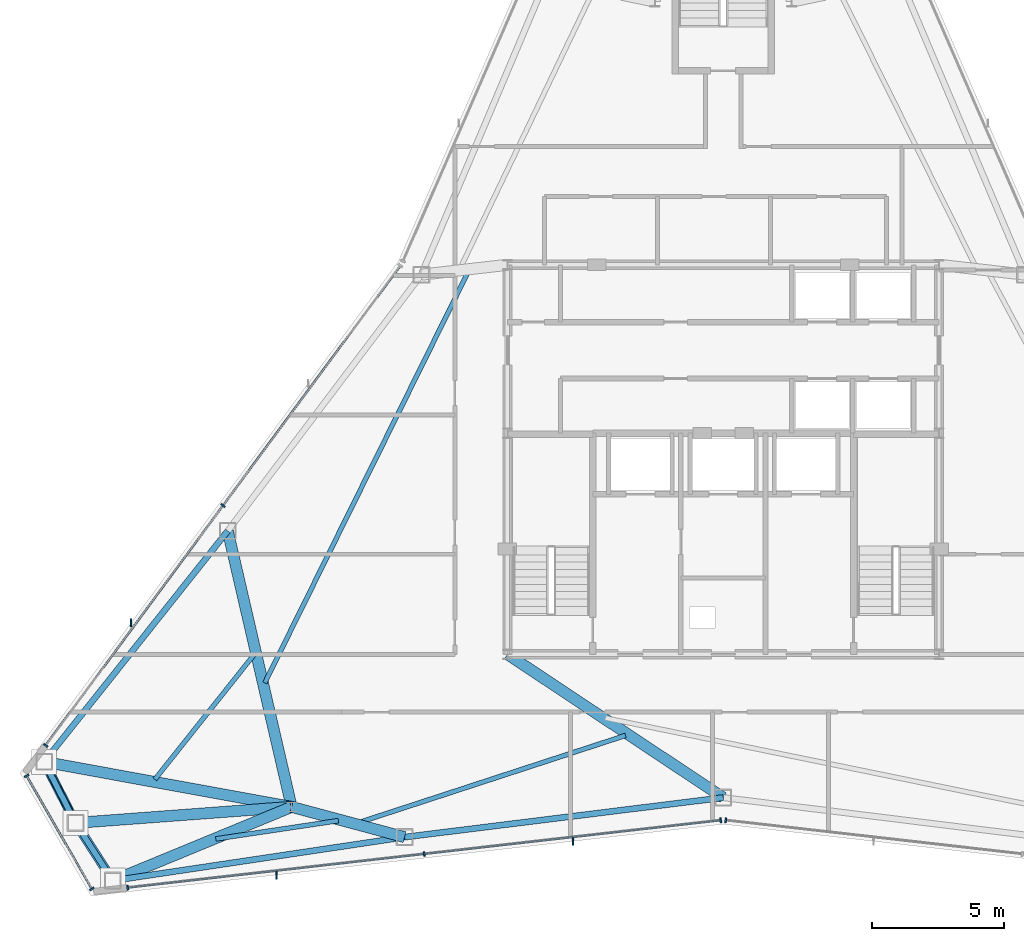
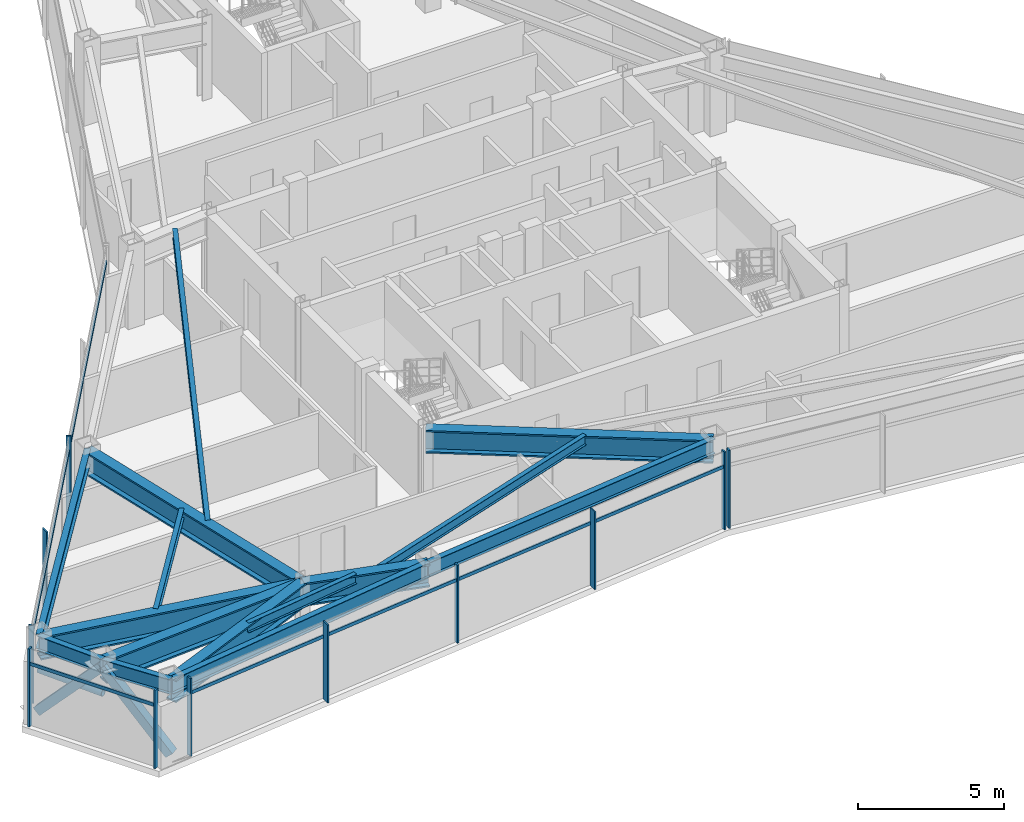
# One storey, part 3 of 12: 17 members, 15 beams, 4 elements without a shape of their own.
"""IFC4 building model written with IfcOpenShell, lengths in metres."""

from ifc_helpers import new_model, si_unit, direction, frame, origin, origin_2d, place, context, subcontext, project, spatial, rectangle, hollow_rectangle, hollow_circle, i_section, extrude, source, transform, mapped, material, layer, layer_set, material_profile, profile_set, type_object, type_shapes, element, aggregate, save


model = new_model("IFC4")

# Units and contexts
model_context = context("Model", 3, precision=1e-05, world=origin(), true_north=direction((0.0, 1.0)))
body_context = subcontext(model_context, "Body", "Model", "MODEL_VIEW")
ifc_project = project(units=[si_unit("LENGTHUNIT", "METRE"), si_unit("AREAUNIT", "SQUARE_METRE"), si_unit("VOLUMEUNIT", "CUBIC_METRE"), si_unit("PLANEANGLEUNIT", "RADIAN"), si_unit("MASSUNIT", "GRAM", prefix="KILO")], contexts=[model_context])

# Site, building, storey
site_placement = place(None, origin())
site = spatial("IfcSite", under=ifc_project, at=site_placement, CompositionType="ELEMENT")
building_placement = place(site_placement, origin())
building = spatial("IfcBuilding", under=site, at=building_placement, Name="Varakhsha Concourse Tower", CompositionType="ELEMENT")
storey_placement = place(building_placement, frame((0.0, 0.0, 276.0)))
storey = spatial("IfcBuildingStorey", under=building, at=storey_placement, Name="L78", CompositionType="ELEMENT", Elevation=276.0)

# Beams
ifc_material_1 = material(Name="Structural Steel ASTM A992 Grade 50", Category="steel")
ifc_material_profile_1 = material_profile(ifc_material_1, i_section(OverallWidth=0.177978515625, OverallDepth=0.406982421875, WebThickness=0.008056640625, FlangeThickness=0.012939453125, at=origin_2d()), Name="W16X40")
ifc_profile_set_1 = profile_set([ifc_material_profile_1], Name="Structural Steel ASTM A992 Grade 50")
beam_type_1 = type_object("IfcBeamType", Name="BM-JST-W16X40", PredefinedType="JOIST", material=ifc_profile_set_1)
beam_1_placement = place(storey_placement, frame((30.3115234375, 30.935791015625, 3.04638671875), z_axis=(-0.443495386622, -0.896276654859, 0.0), x_axis=(0.896276654859, -0.443495386622, 0.0)))
element("IfcBeam", 1, at=beam_1_placement, inside=storey, type_object=beam_type_1, Name="BM-TJST-L78-05", PredefinedType="JOIST", context=body_context, shape_type="SweptSolid", body=[
    extrude(i_section(OverallWidth=0.177978515625, OverallDepth=0.406982421875, WebThickness=0.008056640625, FlangeThickness=0.012939453125, at=origin_2d()), origin(), (0.0, 0.0, 1.0), 17.431396484375),
])
beam_2_placement = place(storey_placement, frame((22.172119140625, 16.38623046875, 3.04638671875), z_axis=(-0.622322665735, -0.782760818969, 0.0), x_axis=(0.782760818969, -0.622322665735, 0.0)))
element("IfcBeam", 2, at=beam_2_placement, inside=storey, type_object=beam_type_1, Name="BM-TJST-L78-06", PredefinedType="JOIST", context=body_context, shape_type="SweptSolid", body=[
    extrude(i_section(OverallWidth=0.177978515625, OverallDepth=0.406982421875, WebThickness=0.008056640625, FlangeThickness=0.012939453125, at=origin_2d()), origin(), (0.0, 0.0, 1.0), 6.056396484375),
])
beam_3_placement = place(storey_placement, frame((20.71875, 9.38330078125, 3.04638671875), z_axis=(0.989050463815, 0.147577708437, 0.0), x_axis=(-0.147577708437, 0.989050463815, 0.0)))
element("IfcBeam", 3, at=beam_3_placement, inside=storey, type_object=beam_type_1, Name="BM-TJST-L78-09", PredefinedType="JOIST", context=body_context, shape_type="SweptSolid", body=[
    extrude(i_section(OverallWidth=0.177978515625, OverallDepth=0.406982421875, WebThickness=0.008056640625, FlangeThickness=0.012939453125, at=origin_2d()), origin(), (0.0, 0.0, 1.0), 4.71142578125),
])
beam_4_placement = place(storey_placement, frame((26.10693359375, 9.9912109375, 3.04638671875), z_axis=(0.950592002478, 0.3104429816, 0.0), x_axis=(-0.3104429816, 0.950592002478, 0.0)))
element("IfcBeam", 4, at=beam_4_placement, inside=storey, type_object=beam_type_1, Name="BM-TJST-L78-10", PredefinedType="JOIST", context=body_context, shape_type="SweptSolid", body=[
    extrude(i_section(OverallWidth=0.177978515625, OverallDepth=0.406982421875, WebThickness=0.008056640625, FlangeThickness=0.012939453125, at=origin_2d()), origin(), (0.0, 0.0, 1.0), 10.70947265625),
])
ifc_material_profile_2 = material_profile(ifc_material_1, i_section(OverallWidth=0.423095703125, OverallDepth=0.947998046875, WebThickness=0.0380859375, FlangeThickness=0.06396484375, at=origin_2d()), Name="W36X302")
ifc_profile_set_2 = profile_set([ifc_material_profile_2], Name="Structural Steel ASTM A992 Grade 50")
beam_type_2 = type_object("IfcBeamType", Name="BM-OUTR-W36X302", PredefinedType="USERDEFINED", material=ifc_profile_set_2)
beam_5_placement = place(storey_placement, frame((23.60009765625, 10.60009765625, 2.77587890625), z_axis=(-0.225527043555, 0.974236907854, 0.0), x_axis=(-0.974236907854, -0.225527043555, 0.0)))
element("IfcBeam", 5, at=beam_5_placement, inside=storey, type_object=beam_type_2, Name="L78 Radial Floor Girder 06", ObjectType="GIRDER", PredefinedType="USERDEFINED", context=body_context, shape_type="SweptSolid", body=[
    extrude(i_section(OverallWidth=0.423095703125, OverallDepth=0.947998046875, WebThickness=0.0380859375, FlangeThickness=0.06396484375, at=origin_2d()), origin(), (0.0, 0.0, 1.0), 10.763671875),
])
beam_6_placement = place(storey_placement, frame((23.60009765625, 10.60009765625, 2.77587890625), z_axis=(-0.983804040319, 0.179247343778, 0.0), x_axis=(-0.179247343778, -0.983804040319, 0.0)))
element("IfcBeam", 6, at=beam_6_placement, inside=storey, type_object=beam_type_2, Name="L78 Radial Floor Girder 07", ObjectType="GIRDER", PredefinedType="USERDEFINED", context=body_context, shape_type="SweptSolid", body=[
    extrude(i_section(OverallWidth=0.423095703125, OverallDepth=0.947998046875, WebThickness=0.0380859375, FlangeThickness=0.06396484375, at=origin_2d()), origin(), (0.0, 0.0, 1.0), 9.557373046875),
])
beam_7_placement = place(storey_placement, frame((23.60009765625, 10.60009765625, 2.77587890625), z_axis=(-0.997265326359, -0.073904457528, 0.0), x_axis=(0.073904457528, -0.997265326359, 0.0)))
element("IfcBeam", 7, at=beam_7_placement, inside=storey, type_object=beam_type_2, Name="L78 Radial Floor Girder 08", ObjectType="GIRDER", PredefinedType="USERDEFINED", context=body_context, shape_type="SweptSolid", body=[
    extrude(i_section(OverallWidth=0.423095703125, OverallDepth=0.947998046875, WebThickness=0.0380859375, FlangeThickness=0.06396484375, at=origin_2d()), origin(), (0.0, 0.0, 1.0), 8.232177734375),
])
beam_8_placement = place(storey_placement, frame((23.60009765625, 10.60009765625, 2.77587890625), z_axis=(-0.924468161954, -0.381259252392, 0.0), x_axis=(0.381259252392, -0.924468161954, 0.0)))
element("IfcBeam", 8, at=beam_8_placement, inside=storey, type_object=beam_type_2, Name="L78 Radial Floor Girder 09", ObjectType="GIRDER", PredefinedType="USERDEFINED", context=body_context, shape_type="SweptSolid", body=[
    extrude(i_section(OverallWidth=0.423095703125, OverallDepth=0.947998046875, WebThickness=0.0380859375, FlangeThickness=0.06396484375, at=origin_2d()), origin(), (0.0, 0.0, 1.0), 7.3505859375),
])
beam_9_placement = place(storey_placement, frame((23.60009765625, 10.60009765625, 2.77587890625), z_axis=(0.965982637978, -0.258606927838, 0.0), x_axis=(0.258606927838, 0.965982637978, 0.0)))
element("IfcBeam", 9, at=beam_9_placement, inside=storey, type_object=beam_type_2, Name="L78 Radial Floor Girder 10", ObjectType="GIRDER", PredefinedType="USERDEFINED", context=body_context, shape_type="SweptSolid", body=[
    extrude(i_section(OverallWidth=0.423095703125, OverallDepth=0.947998046875, WebThickness=0.0380859375, FlangeThickness=0.06396484375, at=origin_2d()), origin(), (0.0, 0.0, 1.0), 4.44091796875),
])
beam_10_placement = place(storey_placement, frame((31.800048828125, 16.39990234375, 2.77587890625), z_axis=(0.832991531821, -0.553285738036, 0.0), x_axis=(0.553285738036, 0.832991531821, 0.0)))
element("IfcBeam", 10, at=beam_10_placement, inside=storey, type_object=beam_type_2, Name="L78 Radial Floor Girder 11", ObjectType="GIRDER", PredefinedType="USERDEFINED", context=body_context, shape_type="SweptSolid", body=[
    extrude(i_section(OverallWidth=0.423095703125, OverallDepth=0.947998046875, WebThickness=0.0380859375, FlangeThickness=0.06396484375, at=origin_2d()), origin(), (0.0, 0.0, 1.0), 9.843994140625),
])
ifc_material_profile_3 = material_profile(ifc_material_1, i_section(OverallWidth=0.22900390625, OverallDepth=0.612060546875, WebThickness=0.011962890625, FlangeThickness=0.02001953125, at=origin_2d()), Name="W24X84")
ifc_profile_set_3 = profile_set([ifc_material_profile_3], Name="Structural Steel ASTM A992 Grade 50")
beam_type_3 = type_object("IfcBeamType", Name="BM-SPAN-W24X84", PredefinedType="SPANDREL", material=ifc_profile_set_3)
beam_11_placement = place(storey_placement, frame((21.172607421875, 21.08642578125, 2.944091796875), z_axis=(-0.62232797875, -0.782756594903, 0.0), x_axis=(0.782756594903, -0.62232797875, 0.0)))
element("IfcBeam", 11, at=beam_11_placement, inside=storey, type_object=beam_type_3, Name="BM-SPAN-L78-06", PredefinedType="SPANDREL", context=body_context, shape_type="SweptSolid", body=[
    extrude(i_section(OverallWidth=0.22900390625, OverallDepth=0.612060546875, WebThickness=0.011962890625, FlangeThickness=0.02001953125, at=origin_2d()), origin(), (0.0, 0.0, 1.0), 11.2080078125),
])
beam_12_placement = place(storey_placement, frame((14.197509765625, 12.313232421875, 2.944091796875), z_axis=(0.457026728921, -0.889452960562, 0.0), x_axis=(0.889452960562, 0.457026728921, 0.0)))
element("IfcBeam", 12, at=beam_12_placement, inside=storey, type_object=beam_type_3, Name="BM-SPAN-L78-07", PredefinedType="SPANDREL", context=body_context, shape_type="SweptSolid", body=[
    extrude(i_section(OverallWidth=0.22900390625, OverallDepth=0.612060546875, WebThickness=0.011962890625, FlangeThickness=0.02001953125, at=origin_2d()), origin(), (0.0, 0.0, 1.0), 2.610107421875),
])
beam_13_placement = place(storey_placement, frame((15.390380859375, 9.99169921875, 2.944091796875), z_axis=(0.541792375817, -0.840512356546, 0.0), x_axis=(0.840512356546, 0.541792375817, 0.0)))
element("IfcBeam", 13, at=beam_13_placement, inside=storey, type_object=beam_type_3, Name="BM-SPAN-L78-08", PredefinedType="SPANDREL", context=body_context, shape_type="SweptSolid", body=[
    extrude(i_section(OverallWidth=0.22900390625, OverallDepth=0.612060546875, WebThickness=0.011962890625, FlangeThickness=0.02001953125, at=origin_2d()), origin(), (0.0, 0.0, 1.0), 2.6103515625),
])
beam_14_placement = place(storey_placement, frame((16.8046875, 7.797607421875, 2.944091796875), z_axis=(0.989050299735, 0.147578808076, 0.0), x_axis=(-0.147578808076, 0.989050299735, 0.0)))
element("IfcBeam", 14, at=beam_14_placement, inside=storey, type_object=beam_type_3, Name="BM-SPAN-L78-09", PredefinedType="SPANDREL", context=body_context, shape_type="SweptSolid", body=[
    extrude(i_section(OverallWidth=0.22900390625, OverallDepth=0.612060546875, WebThickness=0.011962890625, FlangeThickness=0.02001953125, at=origin_2d()), origin(), (0.0, 0.0, 1.0), 11.2080078125),
])
beam_15_placement = place(storey_placement, frame((27.889892578125, 9.45166015625, 2.944091796875), z_axis=(0.992398980009, 0.123062035079, 0.0), x_axis=(-0.123062035079, 0.992398980009, 0.0)))
element("IfcBeam", 15, at=beam_15_placement, inside=storey, type_object=beam_type_3, Name="BM-SPAN-L78-10", PredefinedType="SPANDREL", context=body_context, shape_type="SweptSolid", body=[
    extrude(i_section(OverallWidth=0.22900390625, OverallDepth=0.612060546875, WebThickness=0.011962890625, FlangeThickness=0.02001953125, at=origin_2d()), origin(), (0.0, 0.0, 1.0), 12.202880859375),
])

# Members
ifc_material_2 = material(Name="Structural Steel ASTM A500 Grade C", Category="steel")
ifc_material_profile_4 = material_profile(ifc_material_2, hollow_rectangle(XDim=0.35009765625, YDim=0.35009765625, WallThickness=0.01611328125, at=origin_2d()), Name="HSS 350x350x16")
ifc_profile_set_4 = profile_set([ifc_material_profile_4], Name="Structural Steel ASTM A500 Grade C")
member_type_1 = type_object("IfcMemberType", Name="MB-TUBE-HSS350", PredefinedType="BRACE", material=ifc_profile_set_4)
shared_shape_1 = source(origin(), body_context, "Body", "SweptSolid", [
    extrude(hollow_rectangle(XDim=0.35009765625, YDim=0.35009765625, WallThickness=0.01611328125, at=origin_2d()), origin(), (0.0, 0.0, 1.0), 3.849853515625),
])
member_1_placement = place(storey_placement, frame((16.8046875, 7.797607421875, 0.1201171875), z_axis=(-0.367355317678, 0.569898539612, 0.735027703643), x_axis=(-0.840512356546, -0.541792375817, 0.0)))
element("IfcMember", 16, at=member_1_placement, inside=storey, type_object=member_type_1, Name="L78 Wind-Corner Tube Brace B04", PredefinedType="BRACE", context=body_context, shape_type="MappedRepresentation", body=[
    mapped(shared_shape_1, transform((0.0, 0.0, 0.0), scale=1.0)),
])
shared_shape_2 = source(origin(), body_context, "Body", "SweptSolid", [
    extrude(hollow_rectangle(XDim=0.35009765625, YDim=0.35009765625, WallThickness=0.01611328125, at=origin_2d()), origin(), (0.0, 0.0, 1.0), 3.849609375),
])
type_shapes(member_type_1, [shared_shape_1, shared_shape_2])
member_2_placement = place(storey_placement, frame((14.197509765625, 12.313232421875, 0.1201171875), z_axis=(0.309858407684, -0.603037985809, 0.735073435011), x_axis=(0.889452960562, 0.457026728921, 0.0)))
element("IfcMember", 17, at=member_2_placement, inside=storey, type_object=member_type_1, Name="L78 Wind-Corner Tube Brace B03", PredefinedType="BRACE", context=body_context, shape_type="MappedRepresentation", body=[
    mapped(shared_shape_2, transform((0.0, 0.0, 0.0), scale=1.0)),
])
ifc_material_profile_5 = material_profile(ifc_material_2, hollow_circle(Radius=0.136474609375, WallThickness=0.011962890625, at=origin_2d()), Name="CHS 273x12")
ifc_profile_set_5 = profile_set([ifc_material_profile_5], Name="Structural Steel ASTM A500 Grade C")
member_type_2 = type_object("IfcMemberType", Name="MB-WIND-CHS273", PredefinedType="COLLAR", material=ifc_profile_set_5)
shared_shape_3 = source(origin(), body_context, "Body", "SweptSolid", [
    extrude(hollow_circle(Radius=0.136474609375, WallThickness=0.011962890625, at=origin_2d()), origin(), (0.0, 0.0, 1.0), 2.610107421875),
])
type_shapes(member_type_2, [shared_shape_3])
member_3_placement = place(storey_placement, frame((14.197509765625, 12.313232421875, 1.800048828125), z_axis=(0.457026728921, -0.889452960562, 0.0), x_axis=(0.889452960562, 0.457026728921, 0.0)))
element("IfcMember", 18, at=member_3_placement, inside=storey, type_object=member_type_2, Name="L78 Wind-Corner Collar Tie 2", PredefinedType="COLLAR", context=body_context, shape_type="MappedRepresentation", body=[
    mapped(shared_shape_3, transform((0.0, 0.0, 0.0), scale=1.0)),
])

# Curtain wall, members
ifc_material_3 = material(Name="Anodised Bronze Architectural Aluminium AA 6063-T6", Category="aluminium")
ifc_layer = layer(ifc_material_3, 0.199951171875, Name="CW-SYS-05")
ifc_layer_set = layer_set([ifc_layer], Name="Anodised Bronze Architectural Aluminium AA 6063-T6")
curtain_wall_type = type_object("IfcCurtainWallType", Name="CW-SYS-05", PredefinedType="NOTDEFINED", material=ifc_layer_set)
curtain_wall_1_placement = place(storey_placement, origin())
curtain_wall_1 = element("IfcCurtainWall", 19, at=curtain_wall_1_placement, inside=storey, type_object=curtain_wall_type, Name="L78 Crystal Curtain Wall F3", PredefinedType="NOTDEFINED")
ifc_material_profile_6 = material_profile(ifc_material_3, rectangle(XDim=0.06494140625, YDim=0.179931640625, at=origin_2d()), Name="CWM-180X65")
ifc_profile_set_6 = profile_set([ifc_material_profile_6], Name="Anodised Bronze Architectural Aluminium AA 6063-T6")
member_type_3 = type_object("IfcMemberType", Name="CWM-180X65", PredefinedType="MULLION", material=ifc_profile_set_6)
shared_shape_4 = source(origin(), body_context, "Body", "SweptSolid", [
    extrude(rectangle(XDim=0.06494140625, YDim=0.179931640625, at=origin_2d()), origin(), (0.0, 0.0, 1.0), 3.25),
])
type_shapes(member_type_3, [shared_shape_4])
member_4_placement = place(storey_placement, frame((14.251220703125, 12.9365234375, 0.0), z_axis=(0.0, 0.0, 1.0), x_axis=(0.594533731364, 0.804070669948, 0.0)))
member_4 = element("IfcMember", 20, at=member_4_placement, type_object=member_type_3, Name="CW-L78-F3 Mullion 00", PredefinedType="MULLION", context=body_context, shape_type="MappedRepresentation", body=[
    mapped(shared_shape_4, transform((0.0, 0.0, 0.0), scale=1.0)),
])
member_5_placement = place(storey_placement, frame((20.991943359375, 22.05322265625, 0.0), z_axis=(0.0, 0.0, 1.0), x_axis=(0.594533731364, 0.804070669948, 0.0)))
member_5 = element("IfcMember", 21, at=member_5_placement, type_object=member_type_3, Name="CW-L78-F3 Mullion 01", PredefinedType="MULLION", context=body_context, shape_type="MappedRepresentation", body=[
    mapped(shared_shape_4, transform((0.0, 0.0, 0.0), scale=1.0)),
])

curtain_wall_2_placement = place(storey_placement, origin())
curtain_wall_2 = element("IfcCurtainWall", 22, at=curtain_wall_2_placement, inside=storey, type_object=curtain_wall_type, Name="L78 Chamfer Curtain Wall F4", PredefinedType="NOTDEFINED")
member_6_placement = place(storey_placement, frame((16.0068359375, 7.48388671875, 0.0), z_axis=(0.0, 0.0, 1.0), x_axis=(-0.499989419466, 0.866031512372, 0.0)))
member_6 = element("IfcMember", 23, at=member_6_placement, type_object=member_type_3, Name="CW-L78-F4 Mullion 00", PredefinedType="MULLION", context=body_context, shape_type="MappedRepresentation", body=[
    mapped(shared_shape_4, transform((0.0, 0.0, 0.0), scale=1.0)),
])
member_7_placement = place(storey_placement, frame((13.52685546875, 11.779296875, 0.0), z_axis=(0.0, 0.0, 1.0), x_axis=(-0.499989419466, 0.866031512372, 0.0)))
member_7 = element("IfcMember", 24, at=member_7_placement, type_object=member_type_3, Name="CW-L78-F4 Mullion 01", PredefinedType="MULLION", context=body_context, shape_type="MappedRepresentation", body=[
    mapped(shared_shape_4, transform((0.0, 0.0, 0.0), scale=1.0)),
])

curtain_wall_3_placement = place(storey_placement, origin())
curtain_wall_3 = element("IfcCurtainWall", 25, at=curtain_wall_3_placement, inside=storey, type_object=curtain_wall_type, Name="L78 Crystal Curtain Wall F5", PredefinedType="NOTDEFINED")
member_8_placement = place(storey_placement, frame((39.902587890625, 10.09130859375, 0.0), z_axis=(0.0, 0.0, 1.0), x_axis=(-0.993612689247, -0.112844245613, 0.0)))
member_8 = element("IfcMember", 26, at=member_8_placement, type_object=member_type_3, Name="CW-L78-F5 Mullion 00", PredefinedType="MULLION", context=body_context, shape_type="MappedRepresentation", body=[
    mapped(shared_shape_4, transform((0.0, 0.0, 0.0), scale=1.0)),
])
member_9_placement = place(storey_placement, frame((28.63671875, 8.81201171875, 0.0), z_axis=(0.0, 0.0, 1.0), x_axis=(-0.993612689247, -0.112844245613, 0.0)))
member_9 = element("IfcMember", 27, at=member_9_placement, type_object=member_type_3, Name="CW-L78-F5 Mullion 01", PredefinedType="MULLION", context=body_context, shape_type="MappedRepresentation", body=[
    mapped(shared_shape_4, transform((0.0, 0.0, 0.0), scale=1.0)),
])
member_10_placement = place(storey_placement, frame((17.37109375, 7.532470703125, 0.0), z_axis=(0.0, 0.0, 1.0), x_axis=(-0.993612689247, -0.112844245613, 0.0)))
member_10 = element("IfcMember", 28, at=member_10_placement, type_object=member_type_3, Name="CW-L78-F5 Mullion 02", PredefinedType="MULLION", context=body_context, shape_type="MappedRepresentation", body=[
    mapped(shared_shape_4, transform((0.0, 0.0, 0.0), scale=1.0)),
])

# Curtain wall, member
curtain_wall_4_placement = place(storey_placement, origin())
curtain_wall_4 = element("IfcCurtainWall", 29, at=curtain_wall_4_placement, inside=storey, type_object=curtain_wall_type, Name="L78 Crystal Curtain Wall F6", PredefinedType="NOTDEFINED")
member_11_placement = place(storey_placement, frame((40.097412109375, 10.09130859375, 0.0), z_axis=(0.0, 0.0, 1.0), x_axis=(-0.993612689247, 0.112844245613, 0.0)))
member_11 = element("IfcMember", 30, at=member_11_placement, type_object=member_type_3, Name="CW-L78-F6 Mullion 02", PredefinedType="MULLION", context=body_context, shape_type="MappedRepresentation", body=[
    mapped(shared_shape_4, transform((0.0, 0.0, 0.0), scale=1.0)),
])
aggregate(curtain_wall_4, [member_11])

# Member
ifc_material_profile_7 = material_profile(ifc_material_3, rectangle(XDim=0.054931640625, YDim=0.300048828125, at=origin_2d()), Name="FIN-BRZ-300")
ifc_profile_set_7 = profile_set([ifc_material_profile_7], Name="Anodised Bronze Architectural Aluminium AA 6063-T6")
member_type_4 = type_object("IfcMemberType", Name="FIN-BRZ-300", PredefinedType="USERDEFINED", material=ifc_profile_set_7)
shared_shape_5 = source(origin(), body_context, "Body", "SweptSolid", [
    extrude(rectangle(XDim=0.054931640625, YDim=0.300048828125, at=origin_2d()), origin(), (0.0, 0.0, 1.0), 3.25),
])
type_shapes(member_type_4, [shared_shape_5])
member_12_placement = place(storey_placement, frame((17.489013671875, 17.593017578125, 0.0), z_axis=(0.0, 0.0, 1.0), x_axis=(1.0, 0.0, 0.0)))
member_12 = element("IfcMember", 31, at=member_12_placement, type_object=member_type_4, Name="L78 Anodised Bronze Solar Fin F3-1", ObjectType="SOLAR FIN", PredefinedType="USERDEFINED", context=body_context, shape_type="MappedRepresentation", body=[
    mapped(shared_shape_5, transform((0.0, 0.0, 0.0), scale=1.0)),
])

member_13_placement = place(storey_placement, frame((34.288330078125, 9.28759765625, 0.0), z_axis=(0.0, 0.0, 1.0), x_axis=(1.0, 0.0, 0.0)))
member_13 = element("IfcMember", 32, at=member_13_placement, type_object=member_type_4, Name="L78 Anodised Bronze Solar Fin F5-1", ObjectType="SOLAR FIN", PredefinedType="USERDEFINED", context=body_context, shape_type="MappedRepresentation", body=[
    mapped(shared_shape_5, transform((0.0, 0.0, 0.0), scale=1.0)),
])

member_14_placement = place(storey_placement, frame((23.022705078125, 8.00830078125, 0.0), z_axis=(0.0, 0.0, 1.0), x_axis=(1.0, 0.0, 0.0)))
member_14 = element("IfcMember", 33, at=member_14_placement, type_object=member_type_4, Name="L78 Anodised Bronze Solar Fin F5-2", ObjectType="SOLAR FIN", PredefinedType="USERDEFINED", context=body_context, shape_type="MappedRepresentation", body=[
    mapped(shared_shape_5, transform((0.0, 0.0, 0.0), scale=1.0)),
])

ifc_material_profile_8 = material_profile(ifc_material_3, rectangle(XDim=0.06005859375, YDim=0.139892578125, at=origin_2d()), Name="CWT-140X60")
ifc_profile_set_8 = profile_set([ifc_material_profile_8], Name="Anodised Bronze Architectural Aluminium AA 6063-T6")
member_type_5 = type_object("IfcMemberType", Name="CWT-140X60", PredefinedType="USERDEFINED", material=ifc_profile_set_8)
shared_shape_6 = source(origin(), body_context, "Body", "SweptSolid", [
    extrude(rectangle(XDim=0.06005859375, YDim=0.139892578125, at=origin_2d()), origin(), (0.0, 0.0, 1.0), 4.9599609375),
])
member_15_placement = place(storey_placement, frame((16.0068359375, 7.48388671875, 2.60009765625), z_axis=(-0.50000366821, 0.866023285932, 0.0), x_axis=(-0.866023285932, -0.50000366821, 0.0)))
member_15 = element("IfcMember", 34, at=member_15_placement, type_object=member_type_5, Name="CW-L78-F4 Transom 01", ObjectType="TRANSOM", PredefinedType="USERDEFINED", context=body_context, shape_type="MappedRepresentation", body=[
    mapped(shared_shape_6, transform((0.0, 0.0, 0.0), scale=1.0)),
])

aggregate(curtain_wall_2, [member_6, member_7, member_15])

shared_shape_7 = source(origin(), body_context, "Body", "SweptSolid", [
    extrude(rectangle(XDim=0.06005859375, YDim=0.139892578125, at=origin_2d()), origin(), (0.0, 0.0, 1.0), 22.67626953125),
])
type_shapes(member_type_5, [shared_shape_6, shared_shape_7])
member_16_placement = place(storey_placement, frame((14.251220703125, 12.9365234375, 2.60009765625), z_axis=(0.594528790613, 0.80407432314, 0.0), x_axis=(-0.80407432314, 0.594528790613, 0.0)))
member_16 = element("IfcMember", 35, at=member_16_placement, type_object=member_type_5, Name="CW-L78-F3 Transom 01", ObjectType="TRANSOM", PredefinedType="USERDEFINED", context=body_context, shape_type="MappedRepresentation", body=[
    mapped(shared_shape_7, transform((0.0, 0.0, 0.0), scale=1.0)),
])

aggregate(curtain_wall_1, [member_4, member_5, member_16, member_12])

member_17_placement = place(storey_placement, frame((39.902587890625, 10.09130859375, 2.60009765625), z_axis=(-0.99361296623, -0.112841806706, 0.0), x_axis=(0.112841806706, -0.99361296623, 0.0)))
member_17 = element("IfcMember", 36, at=member_17_placement, type_object=member_type_5, Name="CW-L78-F5 Transom 01", ObjectType="TRANSOM", PredefinedType="USERDEFINED", context=body_context, shape_type="MappedRepresentation", body=[
    mapped(shared_shape_7, transform((0.0, 0.0, 0.0), scale=1.0)),
])

aggregate(curtain_wall_3, [member_8, member_9, member_10, member_17, member_13, member_14])

save(model, "model.ifc")
